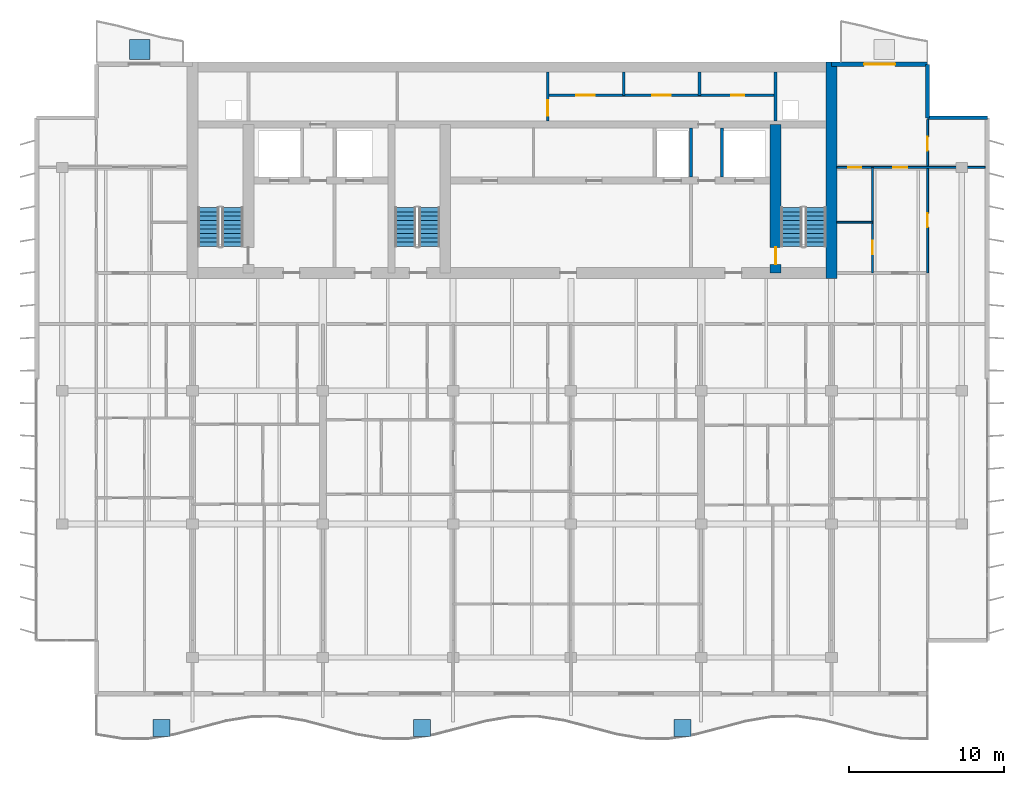
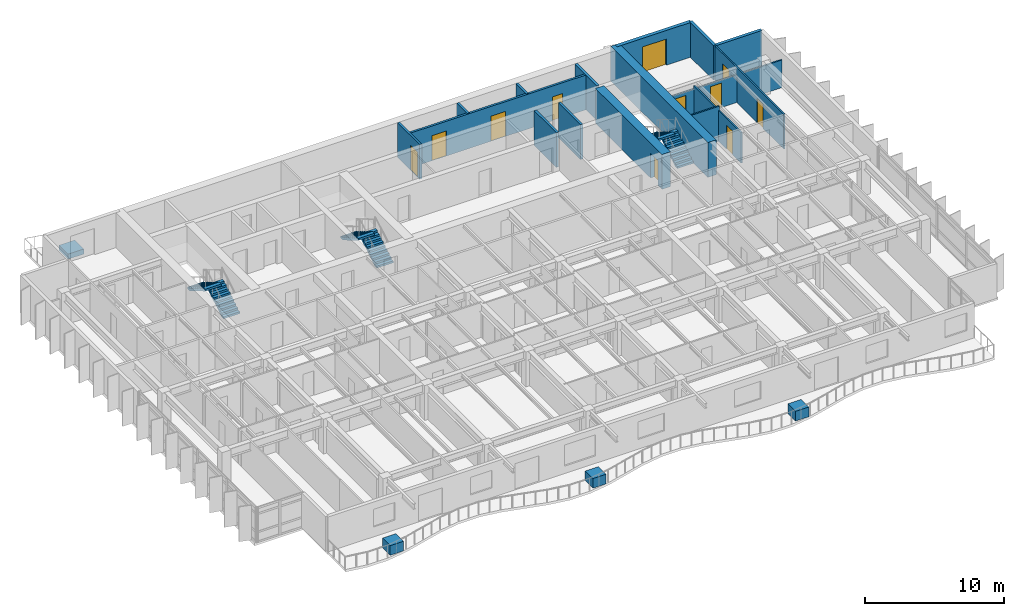
# One storey, part 11 of 17: 16 walls, 11 doors, 6 stair flights, 4 discrete accessories, 11 openings, 3 elements without a shape of their own.
"""IFC4 building model written with IfcOpenShell, lengths in metres."""

from ifc_helpers import new_model, si_unit, direction, frame, frame_2d, origin, origin_2d, place, context, subcontext, project, spatial, polyline, rectangle, outline, extrude, material, layer, layer_set, type_object, element, fill, aggregate, save


model = new_model("IFC4")

# Units and contexts
model_context = context("Model", 3, precision=1e-05, world=origin(), true_north=direction((0.0, 1.0)))
body_context = subcontext(model_context, "Body", "Model", "MODEL_VIEW")
ifc_project = project(units=[si_unit("LENGTHUNIT", "METRE"), si_unit("AREAUNIT", "SQUARE_METRE"), si_unit("VOLUMEUNIT", "CUBIC_METRE"), si_unit("PLANEANGLEUNIT", "RADIAN"), si_unit("MASSUNIT", "GRAM", prefix="KILO")], contexts=[model_context])

# Site, building, storey
site_placement = place(None, origin())
site = spatial("IfcSite", under=ifc_project, at=site_placement, CompositionType="ELEMENT")
building_placement = place(site_placement, origin())
building = spatial("IfcBuilding", under=site, at=building_placement, Name="Caelmar Bay Residences", CompositionType="ELEMENT")
storey_placement = place(building_placement, frame((0.0, 0.0, 243.0)))
storey = spatial("IfcBuildingStorey", under=building, at=storey_placement, Name="L68", CompositionType="ELEMENT", Elevation=243.0)

# Wall
ifc_material_1 = material(Name="Concrete f'c 55 MPa (8,000 psi)", Category="concrete")
ifc_layer_1 = layer(ifc_material_1, 0.699951171875)
ifc_layer_set_1 = layer_set([ifc_layer_1], Name="Concrete f'c 55 MPa (8,000 psi)")
wall_type_1 = type_object("IfcWallType", Name="SW-COR-700", PredefinedType="SHEAR", material=ifc_layer_set_1)
wall_1_placement = place(storey_placement, frame((59.5, 36.64990234375, 0.0), z_axis=(0.0, 0.0, 1.0), x_axis=(0.0, 1.0, 0.0)))
element("IfcWall", 1, at=wall_1_placement, inside=storey, type_object=wall_type_1, Name="L68 Rear Core East Shear Wall", PredefinedType="SHEAR", context=body_context, shape_type="SweptSolid", body=[
    extrude(rectangle(XDim=13.9501953125, YDim=0.699951171875, at=frame_2d((6.97509765625, 0.0))), origin(), (0.0, 0.0, 1.0), 3.050048828125),
])

# Wall, opening, door
wall_2_placement = place(storey_placement, frame((55.89990234375, 37.0, 0.0), z_axis=(0.0, 0.0, 1.0), x_axis=(0.0, 1.0, 0.0)))
wall_2 = element("IfcWall", 2, at=wall_2_placement, inside=storey, type_object=wall_type_1, Name="L68 Core Structural Web Wall ST2W", PredefinedType="SHEAR", context=body_context, shape_type="SweptSolid", body=[
    extrude(rectangle(XDim=9.574951171875, YDim=0.699951171875, at=frame_2d((4.78759765625, 0.0))), origin(), (0.0, 0.0, 1.0), 3.050048828125),
])
opening_1_placement = place(wall_2_placement, frame((0.550048828125, 0.0, 0.0)))
opening_1 = element("IfcOpeningElement", 3, at=opening_1_placement, cuts=wall_2, Name="Opening D-L68-110", PredefinedType="OPENING", context=body_context, shape_type="SweptSolid", body=[
    extrude(rectangle(XDim=1.10009765625, YDim=2.14990234375, at=frame_2d((0.550048828125, 1.074951171875))), frame((0.0, 0.35986328125, 0.0), z_axis=(0.0, -1.0, 0.0), x_axis=(1.0, 0.0, 0.0)), (0.0, 0.0, 1.0), 0.719970703125),
])
ifc_material_2 = material(Name="Fire-rated steel and walnut architectural door assembly", Category="steel")
ifc_layer_2 = layer(ifc_material_2, 0.050048828125)
ifc_layer_set_2 = layer_set([ifc_layer_2], Name="Fire-rated steel and walnut architectural door assembly")
door_type_1 = type_object("IfcDoorType", Name="D-STAIR-1100", OperationType="NOTDEFINED", PredefinedType="DOOR", material=ifc_layer_set_2)
door_1_placement = place(opening_1_placement, origin())
door_1 = element("IfcDoor", 4, at=door_1_placement, inside=storey, type_object=door_type_1, Name="L68 Firefighting Lobby East Door", OperationType="SINGLE_SWING_RIGHT", OverallHeight=2.14990234375, OverallWidth=1.10009765625, PredefinedType="DOOR", context=body_context, shape_type="SweptSolid", body=[
    extrude(rectangle(XDim=1.10009765625, YDim=2.14990234375, at=frame_2d((0.550048828125, 1.074951171875))), frame((0.0, 0.02490234375, 0.0), z_axis=(0.0, -1.0, 0.0), x_axis=(1.0, 0.0, 0.0)), (0.0, 0.0, 1.0), 0.050048828125),
])
fill(opening_1, door_1)

ifc_material_3 = material(Name="Double-stud acoustic fire-rated gypsum partition 180 mm")
ifc_layer_3 = layer(ifc_material_3, 0.179931640625)
ifc_layer_set_3 = layer_set([ifc_layer_3], Name="Double-stud acoustic fire-rated gypsum partition 180 mm")
wall_type_2 = type_object("IfcWallType", Name="W-COR-200", PredefinedType="PARTITIONING", material=ifc_layer_set_3)
wall_3_placement = place(storey_placement, frame((41.199951171875, 46.794921875, 0.0), z_axis=(0.0, 0.0, 1.0), x_axis=(0.0, 1.0, 0.0)))
wall_3 = element("IfcWall", 5, at=wall_3_placement, inside=storey, type_object=wall_type_2, Name="L68 Partition Wall V047", PredefinedType="PARTITIONING", context=body_context, shape_type="SweptSolid", body=[
    extrude(rectangle(XDim=3.16015625, YDim=0.179931640625, at=frame_2d((1.580078125, 0.0))), origin(), (0.0, 0.0, 1.0), 3.050048828125),
])
opening_2_placement = place(wall_3_placement, frame((0.327392578125, 0.0, 0.0)))
opening_2 = element("IfcOpeningElement", 6, at=opening_2_placement, cuts=wall_3, Name="Opening D-L68-118", PredefinedType="OPENING", context=body_context, shape_type="SweptSolid", body=[
    extrude(rectangle(XDim=1.0, YDim=2.199951171875, at=frame_2d((0.5, 1.10009765625))), frame((0.0, 0.099853515625, 0.0), z_axis=(0.0, -1.0, 0.0), x_axis=(1.0, 0.0, 0.0)), (0.0, 0.0, 1.0), 0.199951171875),
])
ifc_layer_4 = layer(ifc_material_2, 0.050048828125)
ifc_layer_set_4 = layer_set([ifc_layer_4], Name="Fire-rated steel and walnut architectural door assembly")
door_type_2 = type_object("IfcDoorType", Name="D-UNIT-1000", OperationType="NOTDEFINED", PredefinedType="DOOR", material=ifc_layer_set_4)
door_2_placement = place(opening_2_placement, origin())
door_2 = element("IfcDoor", 7, at=door_2_placement, inside=storey, type_object=door_type_2, Name="L68 Engineering Control Office Door", OperationType="SINGLE_SWING_RIGHT", OverallHeight=2.199951171875, OverallWidth=1.0, PredefinedType="DOOR", context=body_context, shape_type="SweptSolid", body=[
    extrude(rectangle(XDim=1.0, YDim=2.199951171875, at=frame_2d((0.5, 1.10009765625))), frame((0.0, 0.02490234375, 0.0), z_axis=(0.0, -1.0, 0.0), x_axis=(1.0, 0.0, 0.0)), (0.0, 0.0, 1.0), 0.050048828125),
])
fill(opening_2, door_2)

# Walls
for number, where, z_axis, x_axis, name in (
    (8, (46.10009765625, 48.449951171875, 0.0), (0.0, 0.0, 1.0), (0.0, 1.0, 0.0), "L68 Partition Wall V054"),
    (9, (51.0, 48.449951171875, 0.0), (0.0, 0.0, 1.0), (0.0, 1.0, 0.0), "L68 Partition Wall V059"),
):
    element("IfcWall", number, at=place(storey_placement, frame(where, z_axis=z_axis, x_axis=x_axis)), inside=storey, type_object=wall_type_2, Name=name, PredefinedType="PARTITIONING", context=body_context, shape_type="SweptSolid", body=[
        extrude(rectangle(XDim=1.505126953125, YDim=0.179931640625, at=frame_2d((0.75244140625, 0.0))), origin(), (0.0, 0.0, 1.0), 3.050048828125),
    ])

# Wall, openings, doors
wall_4_placement = place(storey_placement, frame((41.199951171875, 48.449951171875, 0.0), z_axis=(0.0, 0.0, 1.0), x_axis=(1.0, 0.0, 0.0)))
wall_4 = element("IfcWall", 10, at=wall_4_placement, inside=storey, type_object=wall_type_2, Name="L68 Partition Wall H122", PredefinedType="PARTITIONING", context=body_context, shape_type="SweptSolid", body=[
    extrude(rectangle(XDim=14.699951171875, YDim=0.179931640625, at=frame_2d((7.35009765625, 0.0))), origin(), (0.0, 0.0, 1.0), 3.050048828125),
])
opening_3_placement = place(wall_4_placement, frame((1.85009765625, 0.0, 0.0)))
opening_3 = element("IfcOpeningElement", 11, at=opening_3_placement, cuts=wall_4, Name="Opening D-L68-119", PredefinedType="OPENING", context=body_context, shape_type="SweptSolid", body=[
    extrude(rectangle(XDim=1.199951171875, YDim=2.199951171875, at=frame_2d((0.60009765625, 1.10009765625))), frame((0.0, 0.099853515625, 0.0), z_axis=(0.0, -1.0, 0.0), x_axis=(1.0, 0.0, 0.0)), (0.0, 0.0, 1.0), 0.199951171875),
])
opening_4_placement = place(wall_4_placement, frame((6.75, 0.0, 0.0)))
opening_4 = element("IfcOpeningElement", 12, at=opening_4_placement, cuts=wall_4, Name="Opening D-L68-120", PredefinedType="OPENING", context=body_context, shape_type="SweptSolid", body=[
    extrude(rectangle(XDim=1.199951171875, YDim=2.199951171875, at=frame_2d((0.60009765625, 1.10009765625))), frame((0.0, 0.099853515625, 0.0), z_axis=(0.0, -1.0, 0.0), x_axis=(1.0, 0.0, 0.0)), (0.0, 0.0, 1.0), 0.199951171875),
])
opening_5_placement = place(wall_4_placement, frame((11.824951171875, 0.0, 0.0)))
opening_5 = element("IfcOpeningElement", 13, at=opening_5_placement, cuts=wall_4, Name="Opening D-L68-121", PredefinedType="OPENING", context=body_context, shape_type="SweptSolid", body=[
    extrude(rectangle(XDim=0.85009765625, YDim=2.10009765625, at=frame_2d((0.425048828125, 1.050048828125))), frame((0.0, 0.099853515625, 0.0), z_axis=(0.0, -1.0, 0.0), x_axis=(1.0, 0.0, 0.0)), (0.0, 0.0, 1.0), 0.199951171875),
])
ifc_layer_5 = layer(ifc_material_2, 0.050048828125)
ifc_layer_set_5 = layer_set([ifc_layer_5], Name="Fire-rated steel and walnut architectural door assembly")
door_type_3 = type_object("IfcDoorType", Name="D-CORE-850", OperationType="NOTDEFINED", PredefinedType="DOOR", material=ifc_layer_set_5)
door_3_placement = place(opening_5_placement, origin())
door_3 = element("IfcDoor", 14, at=door_3_placement, inside=storey, type_object=door_type_3, Name="L68 Accessible Staff WC Door", OperationType="SINGLE_SWING_LEFT", OverallHeight=2.10009765625, OverallWidth=0.85009765625, PredefinedType="DOOR", context=body_context, shape_type="SweptSolid", body=[
    extrude(rectangle(XDim=0.85009765625, YDim=2.10009765625, at=frame_2d((0.425048828125, 1.050048828125))), frame((0.0, 0.02490234375, 0.0), z_axis=(0.0, -1.0, 0.0), x_axis=(1.0, 0.0, 0.0)), (0.0, 0.0, 1.0), 0.050048828125),
])
fill(opening_5, door_3)
ifc_layer_6 = layer(ifc_material_2, 0.050048828125)
ifc_layer_set_6 = layer_set([ifc_layer_6], Name="Fire-rated steel and walnut architectural door assembly")
door_type_4 = type_object("IfcDoorType", Name="D-PLANT-1200", OperationType="NOTDEFINED", PredefinedType="DOOR", material=ifc_layer_set_6)
door_4_placement = place(opening_3_placement, origin())
door_4 = element("IfcDoor", 15, at=door_4_placement, inside=storey, type_object=door_type_4, Name="L68 Electrical Closet Door", OperationType="SINGLE_SWING_LEFT", OverallHeight=2.199951171875, OverallWidth=1.199951171875, PredefinedType="DOOR", context=body_context, shape_type="SweptSolid", body=[
    extrude(rectangle(XDim=1.199951171875, YDim=2.199951171875, at=frame_2d((0.60009765625, 1.10009765625))), frame((0.0, 0.02490234375, 0.0), z_axis=(0.0, -1.0, 0.0), x_axis=(1.0, 0.0, 0.0)), (0.0, 0.0, 1.0), 0.050048828125),
])
fill(opening_3, door_4)
door_5_placement = place(opening_4_placement, origin())
door_5 = element("IfcDoor", 16, at=door_5_placement, inside=storey, type_object=door_type_4, Name="L68 Housekeeping Linen Closet Door", OperationType="SINGLE_SWING_RIGHT", OverallHeight=2.199951171875, OverallWidth=1.199951171875, PredefinedType="DOOR", context=body_context, shape_type="SweptSolid", body=[
    extrude(rectangle(XDim=1.199951171875, YDim=2.199951171875, at=frame_2d((0.60009765625, 1.10009765625))), frame((0.0, 0.02490234375, 0.0), z_axis=(0.0, -1.0, 0.0), x_axis=(1.0, 0.0, 0.0)), (0.0, 0.0, 1.0), 0.050048828125),
])
fill(opening_4, door_5)

# Walls
ifc_material_4 = material(Name="Precast concrete f'c 40 MPa (6,000 psi)", Category="concrete")
ifc_layer_7 = layer(ifc_material_4, 0.25)
ifc_layer_set_7 = layer_set([ifc_layer_7], Name="Precast concrete f'c 40 MPa (6,000 psi)")
wall_type_3 = type_object("IfcWallType", Name="W-EXT-250", PredefinedType="ELEMENTEDWALL", material=ifc_layer_set_7)
wall_5_placement = place(storey_placement, frame((65.699951171875, 50.449951171875, 0.0), z_axis=(0.0, 0.0, 1.0), x_axis=(0.0, -1.0, 0.0)))
element("IfcWall", 17, at=wall_5_placement, inside=storey, type_object=wall_type_3, Name="L68 NNE-V Notch Wall", PredefinedType="ELEMENTEDWALL", context=body_context, shape_type="SweptSolid", body=[
    extrude(rectangle(XDim=3.449951171875, YDim=0.25, at=frame_2d((1.72509765625, 0.0))), origin(), (0.0, 0.0, 1.0), 3.050048828125),
])
wall_6_placement = place(storey_placement, frame((65.699951171875, 47.0, 0.0), z_axis=(0.0, 0.0, 1.0), x_axis=(1.0, 0.0, 0.0)))
element("IfcWall", 18, at=wall_6_placement, inside=storey, type_object=wall_type_3, Name="L68 NNE-H Notch Wall", PredefinedType="ELEMENTEDWALL", context=body_context, shape_type="SweptSolid", body=[
    extrude(rectangle(XDim=3.85009765625, YDim=0.25, at=frame_2d((1.925048828125, 0.0))), origin(), (0.0, 0.0, 1.0), 3.050048828125),
])

# Wall, opening, door
ifc_layer_8 = layer(ifc_material_4, 0.300048828125)
ifc_layer_set_8 = layer_set([ifc_layer_8], Name="Precast concrete f'c 40 MPa (6,000 psi)")
wall_type_4 = type_object("IfcWallType", Name="W-EXT-300", PredefinedType="STANDARD", material=ifc_layer_set_8)
wall_7_placement = place(storey_placement, frame((59.5, 50.449951171875, 0.0), z_axis=(0.0, 0.0, 1.0), x_axis=(1.0, 0.0, 0.0)))
wall_7 = element("IfcWall", 19, at=wall_7_placement, inside=storey, type_object=wall_type_4, Name="L68 North-East Wing Exterior Wall", PredefinedType="STANDARD", context=body_context, shape_type="SweptSolid", body=[
    extrude(rectangle(XDim=6.199951171875, YDim=0.300048828125, at=frame_2d((3.10009765625, 0.0))), origin(), (0.0, 0.0, 1.0), 3.050048828125),
])
opening_6_placement = place(wall_7_placement, frame((2.10009765625, 0.0, 0.0)))
opening_6 = element("IfcOpeningElement", 20, at=opening_6_placement, cuts=wall_7, Name="Opening L68-BDNE", PredefinedType="OPENING", context=body_context, shape_type="SweptSolid", body=[
    extrude(rectangle(XDim=2.0, YDim=2.300048828125, at=frame_2d((1.0, 1.14990234375))), frame((0.0, 0.159912109375, 0.0), z_axis=(0.0, -1.0, 0.0), x_axis=(1.0, 0.0, 0.0)), (0.0, 0.0, 1.0), 0.320068359375),
])
ifc_material_5 = material(Name="Anodised bronze thermally broken sliding glass door", Category="glass")
ifc_layer_9 = layer(ifc_material_5, 0.050048828125)
ifc_layer_set_9 = layer_set([ifc_layer_9], Name="Anodised bronze thermally broken sliding glass door")
door_type_5 = type_object("IfcDoorType", Name="D-BAL-2000", OperationType="DOUBLE_DOOR_SLIDING", PredefinedType="DOOR", material=ifc_layer_set_9)
door_6_placement = place(opening_6_placement, origin())
door_6 = element("IfcDoor", 21, at=door_6_placement, inside=storey, type_object=door_type_5, Name="L68 North-East Balcony Door", OperationType="DOUBLE_DOOR_SLIDING", OverallHeight=2.300048828125, OverallWidth=2.0, PredefinedType="DOOR", context=body_context, shape_type="SweptSolid", body=[
    extrude(rectangle(XDim=2.0, YDim=2.300048828125, at=frame_2d((1.0, 1.14990234375))), frame((0.0, 0.02490234375, 0.0), z_axis=(0.0, -1.0, 0.0), x_axis=(1.0, 0.0, 0.0)), (0.0, 0.0, 1.0), 0.050048828125),
])
fill(opening_6, door_6)

# Walls
ifc_material_6 = material(Name="Fire-rated masonry and gypsum shaftliner assembly 200 mm", Category="masonry")
ifc_layer_10 = layer(ifc_material_6, 0.199951171875)
ifc_layer_set_10 = layer_set([ifc_layer_10], Name="Fire-rated masonry and gypsum shaftliner assembly 200 mm")
wall_type_5 = type_object("IfcWallType", Name="W-FSAE-200", PredefinedType="PARTITIONING", material=ifc_layer_set_10)
for number, where, z_axis, x_axis, name in (
    (22, (50.449951171875, 43.169921875, 0.0), (0.0, 0.0, 1.0), (0.0, 1.0, 0.0), "L68 Partition Wall V058"),
    (23, (52.449951171875, 43.169921875, 0.0), (0.0, 0.0, 1.0), (0.0, 1.0, 0.0), "L68 Partition Wall V063"),
):
    element("IfcWall", number, at=place(storey_placement, frame(where, z_axis=z_axis, x_axis=x_axis)), inside=storey, type_object=wall_type_5, Name=name, PredefinedType="PARTITIONING", context=body_context, shape_type="SweptSolid", body=[
        extrude(rectangle(XDim=3.18505859375, YDim=0.199951171875, at=frame_2d((1.592529296875, 0.0))), origin(), (0.0, 0.0, 1.0), 3.050048828125),
    ])
wall_8_placement = place(storey_placement, frame((55.89990234375, 46.794921875, 0.0), z_axis=(0.0, 0.0, 1.0), x_axis=(0.0, 1.0, 0.0)))
element("IfcWall", 24, at=wall_8_placement, inside=storey, type_object=wall_type_5, Name="L68 Partition Wall V068", PredefinedType="PARTITIONING", context=body_context, shape_type="SweptSolid", body=[
    extrude(rectangle(XDim=3.16015625, YDim=0.199951171875, at=frame_2d((1.580078125, 0.0))), origin(), (0.0, 0.0, 1.0), 3.050048828125),
])

# Wall, opening, door
ifc_material_7 = material(Name="Acoustic metal-stud gypsum partition 120 mm")
ifc_layer_11 = layer(ifc_material_7, 0.1201171875)
ifc_layer_set_11 = layer_set([ifc_layer_11], Name="Acoustic metal-stud gypsum partition 120 mm")
wall_type_6 = type_object("IfcWallType", Name="W-PRT-120", PredefinedType="PARTITIONING", material=ifc_layer_set_11)
wall_9_placement = place(storey_placement, frame((62.14990234375, 37.0, 0.0), z_axis=(0.0, 0.0, 1.0), x_axis=(0.0, 1.0, 0.0)))
wall_9 = element("IfcWall", 25, at=wall_9_placement, inside=storey, type_object=wall_type_6, Name="L68 Partition Wall V077", PredefinedType="PARTITIONING", context=body_context, shape_type="SweptSolid", body=[
    extrude(rectangle(XDim=6.800048828125, YDim=0.1201171875, at=frame_2d((3.39990234375, 0.0))), origin(), (0.0, 0.0, 1.0), 2.678955078125),
])
opening_7_placement = place(wall_9_placement, frame((1.20703125, 0.0, 0.0)))
opening_7 = element("IfcOpeningElement", 26, at=opening_7_placement, cuts=wall_9, Name="Opening D-L68-170", PredefinedType="OPENING", context=body_context, shape_type="SweptSolid", body=[
    extrude(rectangle(XDim=0.85009765625, YDim=2.10009765625, at=frame_2d((0.425048828125, 1.050048828125))), frame((0.0, 0.070068359375, 0.0), z_axis=(0.0, -1.0, 0.0), x_axis=(1.0, 0.0, 0.0)), (0.0, 0.0, 1.0), 0.14013671875),
])
ifc_material_8 = material(Name="Solid walnut timber interior door leaf and frame", Category="wood")
ifc_layer_12 = layer(ifc_material_8, 0.050048828125)
ifc_layer_set_12 = layer_set([ifc_layer_12], Name="Solid walnut timber interior door leaf and frame")
door_type_6 = type_object("IfcDoorType", Name="D-BATH-850", OperationType="NOTDEFINED", PredefinedType="DOOR", material=ifc_layer_set_12)
door_7_placement = place(opening_7_placement, origin())
door_7 = element("IfcDoor", 27, at=door_7_placement, inside=storey, type_object=door_type_6, Name="L68 Residence EA Walk-In Closet Door", OperationType="SINGLE_SWING_RIGHT", OverallHeight=2.10009765625, OverallWidth=0.85009765625, PredefinedType="DOOR", context=body_context, shape_type="SweptSolid", body=[
    extrude(rectangle(XDim=0.85009765625, YDim=2.10009765625, at=frame_2d((0.425048828125, 1.050048828125))), frame((0.0, 0.02490234375, 0.0), z_axis=(0.0, -1.0, 0.0), x_axis=(1.0, 0.0, 0.0)), (0.0, 0.0, 1.0), 0.050048828125),
])
fill(opening_7, door_7)

# Wall, openings, doors
wall_10_placement = place(storey_placement, frame((65.699951171875, 37.0048828125, 0.0), z_axis=(0.0, 0.0, 1.0), x_axis=(0.0, 1.0, 0.0)))
wall_10 = element("IfcWall", 28, at=wall_10_placement, inside=storey, type_object=wall_type_6, Name="L68 Partition Wall V088", PredefinedType="PARTITIONING", context=body_context, shape_type="SweptSolid", body=[
    extrude(rectangle(XDim=9.875, YDim=0.1201171875, at=frame_2d((4.9375, 0.0))), origin(), (0.0, 0.0, 1.0), 3.050048828125),
])
opening_8_placement = place(wall_10_placement, frame((2.947509765625, 0.0, 0.0)))
opening_8 = element("IfcOpeningElement", 29, at=opening_8_placement, cuts=wall_10, Name="Opening D-L68-172", PredefinedType="OPENING", context=body_context, shape_type="SweptSolid", body=[
    extrude(rectangle(XDim=0.89990234375, YDim=2.14990234375, at=frame_2d((0.449951171875, 1.074951171875))), frame((0.0, 0.070068359375, 0.0), z_axis=(0.0, -1.0, 0.0), x_axis=(1.0, 0.0, 0.0)), (0.0, 0.0, 1.0), 0.14013671875),
])
opening_9_placement = place(wall_10_placement, frame((7.885009765625, 0.0, 0.0)))
opening_9 = element("IfcOpeningElement", 30, at=opening_9_placement, cuts=wall_10, Name="Opening D-L68-173", PredefinedType="OPENING", context=body_context, shape_type="SweptSolid", body=[
    extrude(rectangle(XDim=0.89990234375, YDim=2.14990234375, at=frame_2d((0.449951171875, 1.074951171875))), frame((0.0, 0.070068359375, 0.0), z_axis=(0.0, -1.0, 0.0), x_axis=(1.0, 0.0, 0.0)), (0.0, 0.0, 1.0), 0.14013671875),
])
ifc_layer_13 = layer(ifc_material_8, 0.050048828125)
ifc_layer_set_13 = layer_set([ifc_layer_13], Name="Solid walnut timber interior door leaf and frame")
door_type_7 = type_object("IfcDoorType", Name="D-ROOM-900", OperationType="NOTDEFINED", PredefinedType="DOOR", material=ifc_layer_set_13)
door_8_placement = place(opening_8_placement, origin())
door_8 = element("IfcDoor", 31, at=door_8_placement, inside=storey, type_object=door_type_7, Name="L68 Residence EA Sun Study Door", OperationType="SINGLE_SWING_RIGHT", OverallHeight=2.14990234375, OverallWidth=0.89990234375, PredefinedType="DOOR", context=body_context, shape_type="SweptSolid", body=[
    extrude(rectangle(XDim=0.89990234375, YDim=2.14990234375, at=frame_2d((0.449951171875, 1.074951171875))), frame((0.0, 0.02490234375, 0.0), z_axis=(0.0, -1.0, 0.0), x_axis=(1.0, 0.0, 0.0)), (0.0, 0.0, 1.0), 0.050048828125),
])
fill(opening_8, door_8)
door_9_placement = place(opening_9_placement, origin())
door_9 = element("IfcDoor", 32, at=door_9_placement, inside=storey, type_object=door_type_7, Name="L68 Residence EA North Sitting Alcove Door", OperationType="SINGLE_SWING_LEFT", OverallHeight=2.14990234375, OverallWidth=0.89990234375, PredefinedType="DOOR", context=body_context, shape_type="SweptSolid", body=[
    extrude(rectangle(XDim=0.89990234375, YDim=2.14990234375, at=frame_2d((0.449951171875, 1.074951171875))), frame((0.0, 0.02490234375, 0.0), z_axis=(0.0, -1.0, 0.0), x_axis=(1.0, 0.0, 0.0)), (0.0, 0.0, 1.0), 0.050048828125),
])
fill(opening_9, door_9)

# Wall
wall_11_placement = place(storey_placement, frame((59.844970703125, 40.263916015625, 0.0), z_axis=(0.0, 0.0, 1.0), x_axis=(1.0, 0.0, 0.0)))
element("IfcWall", 33, at=wall_11_placement, inside=storey, type_object=wall_type_6, Name="L68 Partition Wall H118", PredefinedType="PARTITIONING", context=body_context, shape_type="SweptSolid", body=[
    extrude(rectangle(XDim=2.304931640625, YDim=0.1201171875, at=frame_2d((1.15234375, 0.0))), origin(), (0.0, 0.0, 1.0), 3.050048828125),
])

# Wall, openings, doors
wall_12_placement = place(storey_placement, frame((59.844970703125, 43.800048828125, 0.0), z_axis=(0.0, 0.0, 1.0), x_axis=(1.0, 0.0, 0.0)))
wall_12 = element("IfcWall", 34, at=wall_12_placement, inside=storey, type_object=wall_type_6, Name="L68 Partition Wall H121", PredefinedType="PARTITIONING", context=body_context, shape_type="SweptSolid", body=[
    extrude(rectangle(XDim=9.56005859375, YDim=0.1201171875, at=frame_2d((4.780029296875, 0.0))), origin(), (0.0, 0.0, 1.0), 2.41796875),
])
opening_10_placement = place(wall_12_placement, frame((3.6298828125, 0.0, 0.0)))
opening_10 = element("IfcOpeningElement", 35, at=opening_10_placement, cuts=wall_12, Name="Opening D-L68-169", PredefinedType="OPENING", context=body_context, shape_type="SweptSolid", body=[
    extrude(rectangle(XDim=0.89990234375, YDim=2.14990234375, at=frame_2d((0.449951171875, 1.074951171875))), frame((0.0, 0.070068359375, 0.0), z_axis=(0.0, -1.0, 0.0), x_axis=(1.0, 0.0, 0.0)), (0.0, 0.0, 1.0), 0.14013671875),
])
opening_11_placement = place(wall_12_placement, frame((0.7275390625, 0.0, 0.0)))
opening_11 = element("IfcOpeningElement", 36, at=opening_11_placement, cuts=wall_12, Name="Opening D-L68-171", PredefinedType="OPENING", context=body_context, shape_type="SweptSolid", body=[
    extrude(rectangle(XDim=0.85009765625, YDim=2.10009765625, at=frame_2d((0.425048828125, 1.050048828125))), frame((0.0, 0.070068359375, 0.0), z_axis=(0.0, -1.0, 0.0), x_axis=(1.0, 0.0, 0.0)), (0.0, 0.0, 1.0), 0.14013671875),
])
door_10_placement = place(opening_11_placement, origin())
door_10 = element("IfcDoor", 37, at=door_10_placement, inside=storey, type_object=door_type_6, Name="L68 Residence EA Bathroom Door", OperationType="SINGLE_SWING_LEFT", OverallHeight=2.10009765625, OverallWidth=0.85009765625, PredefinedType="DOOR", context=body_context, shape_type="SweptSolid", body=[
    extrude(rectangle(XDim=0.85009765625, YDim=2.10009765625, at=frame_2d((0.425048828125, 1.050048828125))), frame((0.0, 0.02490234375, 0.0), z_axis=(0.0, -1.0, 0.0), x_axis=(1.0, 0.0, 0.0)), (0.0, 0.0, 1.0), 0.050048828125),
])
fill(opening_11, door_10)
door_11_placement = place(opening_10_placement, origin())
door_11 = element("IfcDoor", 38, at=door_11_placement, inside=storey, type_object=door_type_7, Name="L68 Residence EA Studio Living and Sleeping Room Door", OperationType="SINGLE_SWING_LEFT", OverallHeight=2.14990234375, OverallWidth=0.89990234375, PredefinedType="DOOR", context=body_context, shape_type="SweptSolid", body=[
    extrude(rectangle(XDim=0.89990234375, YDim=2.14990234375, at=frame_2d((0.449951171875, 1.074951171875))), frame((0.0, 0.02490234375, 0.0), z_axis=(0.0, -1.0, 0.0), x_axis=(1.0, 0.0, 0.0)), (0.0, 0.0, 1.0), 0.050048828125),
])
fill(opening_10, door_11)

# Stair, stair flights
ifc_material_9 = material(Name="Concrete f'c 40 MPa (6,000 psi)", Category="concrete")
stair_type = type_object("IfcStairType", Name="ST-TYP-165", PredefinedType="HALF_TURN_STAIR", material=ifc_material_9)
stair_1_placement = place(storey_placement, origin())
stair_1 = element("IfcStair", 39, at=stair_1_placement, inside=storey, type_object=stair_type, Name="L68 West Smokeproof Exit Stair ST1", PredefinedType="HALF_TURN_STAIR")
stair_flight_type = type_object("IfcStairFlightType", Name="STF-1350", PredefinedType="STRAIGHT", material=ifc_material_9)
stair_flight_1_placement = place(storey_placement, frame((20.875, 38.699951171875, 0.0), z_axis=(0.0, 0.0, 1.0), x_axis=(0.0, 1.0, 0.0)))
stair_flight_1 = element("IfcStairFlight", 40, at=stair_flight_1_placement, type_object=stair_flight_type, Name="ST1 flight 1", NumberOfRisers=10, NumberOfTreads=9, PredefinedType="STRAIGHT", RiserHeight=0.165, TreadLength=0.28, context=body_context, shape_type="SweptSolid", body=[
    extrude(outline(polyline([(0.0, 0.0), (0.0, 0.1650390625), (0.280029296875, 0.1650390625), (0.280029296875, 0.330078125), (0.56005859375, 0.330078125), (0.56005859375, 0.4951171875), (0.840087890625, 0.4951171875), (0.840087890625, 0.659912109375), (1.1201171875, 0.659912109375), (1.1201171875, 0.824951171875), (1.39990234375, 0.824951171875), (1.39990234375, 0.989990234375), (1.679931640625, 0.989990234375), (1.679931640625, 1.155029296875), (1.9599609375, 1.155029296875), (1.9599609375, 1.320068359375), (2.239990234375, 1.320068359375), (2.239990234375, 1.485107421875), (2.52001953125, 1.485107421875), (2.52001953125, 1.64990234375), (2.52001953125, 1.31103515625), (0.295166015625, 0.0), (0.0, 0.0)])), frame((0.0, 0.675048828125, 0.0), z_axis=(0.0, -1.0, 0.0), x_axis=(1.0, 0.0, 0.0)), (0.0, 0.0, 1.0), 1.35009765625),
])
stair_flight_2_placement = place(storey_placement, frame((19.324951171875, 41.219970703125, 1.64990234375), z_axis=(0.0, 0.0, 1.0), x_axis=(0.0, -1.0, 0.0)))
stair_flight_2 = element("IfcStairFlight", 41, at=stair_flight_2_placement, type_object=stair_flight_type, Name="ST1 flight 2", NumberOfRisers=10, NumberOfTreads=9, PredefinedType="STRAIGHT", RiserHeight=0.165, TreadLength=0.28, context=body_context, shape_type="SweptSolid", body=[
    extrude(outline(polyline([(0.0, 0.0), (0.0, 0.1650390625), (0.280029296875, 0.1650390625), (0.280029296875, 0.330078125), (0.56005859375, 0.330078125), (0.56005859375, 0.4951171875), (0.840087890625, 0.4951171875), (0.840087890625, 0.659912109375), (1.1201171875, 0.659912109375), (1.1201171875, 0.824951171875), (1.39990234375, 0.824951171875), (1.39990234375, 0.989990234375), (1.679931640625, 0.989990234375), (1.679931640625, 1.155029296875), (1.9599609375, 1.155029296875), (1.9599609375, 1.320068359375), (2.239990234375, 1.320068359375), (2.239990234375, 1.485107421875), (2.52001953125, 1.485107421875), (2.52001953125, 1.64990234375), (2.52001953125, 1.31103515625), (0.295166015625, 0.0), (0.0, 0.0)])), frame((0.0, 0.675048828125, 0.0), z_axis=(0.0, -1.0, 0.0), x_axis=(1.0, 0.0, 0.0)), (0.0, 0.0, 1.0), 1.35009765625),
])
aggregate(stair_1, [stair_flight_1, stair_flight_2])

stair_2_placement = place(storey_placement, origin())
stair_2 = element("IfcStair", 42, at=stair_2_placement, inside=storey, type_object=stair_type, Name="L68 East Smokeproof Exit Stair ST2", PredefinedType="HALF_TURN_STAIR")
stair_flight_3_placement = place(storey_placement, frame((58.47509765625, 38.699951171875, 0.0), z_axis=(0.0, 0.0, 1.0), x_axis=(0.0, 1.0, 0.0)))
stair_flight_3 = element("IfcStairFlight", 43, at=stair_flight_3_placement, type_object=stair_flight_type, Name="ST2 flight 1", NumberOfRisers=10, NumberOfTreads=9, PredefinedType="STRAIGHT", RiserHeight=0.165, TreadLength=0.28, context=body_context, shape_type="SweptSolid", body=[
    extrude(outline(polyline([(0.0, 0.0), (0.0, 0.1650390625), (0.280029296875, 0.1650390625), (0.280029296875, 0.330078125), (0.56005859375, 0.330078125), (0.56005859375, 0.4951171875), (0.840087890625, 0.4951171875), (0.840087890625, 0.659912109375), (1.1201171875, 0.659912109375), (1.1201171875, 0.824951171875), (1.39990234375, 0.824951171875), (1.39990234375, 0.989990234375), (1.679931640625, 0.989990234375), (1.679931640625, 1.155029296875), (1.9599609375, 1.155029296875), (1.9599609375, 1.320068359375), (2.239990234375, 1.320068359375), (2.239990234375, 1.485107421875), (2.52001953125, 1.485107421875), (2.52001953125, 1.64990234375), (2.52001953125, 1.31103515625), (0.295166015625, 0.0), (0.0, 0.0)])), frame((0.0, 0.675048828125, 0.0), z_axis=(0.0, -1.0, 0.0), x_axis=(1.0, 0.0, 0.0)), (0.0, 0.0, 1.0), 1.35009765625),
])
stair_flight_4_placement = place(storey_placement, frame((56.925048828125, 41.219970703125, 1.64990234375), z_axis=(0.0, 0.0, 1.0), x_axis=(0.0, -1.0, 0.0)))
stair_flight_4 = element("IfcStairFlight", 44, at=stair_flight_4_placement, type_object=stair_flight_type, Name="ST2 flight 2", NumberOfRisers=10, NumberOfTreads=9, PredefinedType="STRAIGHT", RiserHeight=0.165, TreadLength=0.28, context=body_context, shape_type="SweptSolid", body=[
    extrude(outline(polyline([(0.0, 0.0), (0.0, 0.1650390625), (0.280029296875, 0.1650390625), (0.280029296875, 0.330078125), (0.56005859375, 0.330078125), (0.56005859375, 0.4951171875), (0.840087890625, 0.4951171875), (0.840087890625, 0.659912109375), (1.1201171875, 0.659912109375), (1.1201171875, 0.824951171875), (1.39990234375, 0.824951171875), (1.39990234375, 0.989990234375), (1.679931640625, 0.989990234375), (1.679931640625, 1.155029296875), (1.9599609375, 1.155029296875), (1.9599609375, 1.320068359375), (2.239990234375, 1.320068359375), (2.239990234375, 1.485107421875), (2.52001953125, 1.485107421875), (2.52001953125, 1.64990234375), (2.52001953125, 1.31103515625), (0.295166015625, 0.0), (0.0, 0.0)])), frame((0.0, 0.675048828125, 0.0), z_axis=(0.0, -1.0, 0.0), x_axis=(1.0, 0.0, 0.0)), (0.0, 0.0, 1.0), 1.35009765625),
])
aggregate(stair_2, [stair_flight_3, stair_flight_4])

stair_3_placement = place(storey_placement, origin())
stair_3 = element("IfcStair", 45, at=stair_3_placement, inside=storey, type_object=stair_type, Name="L68 Central Smokeproof Exit Stair ST3", PredefinedType="HALF_TURN_STAIR")
stair_flight_5_placement = place(storey_placement, frame((33.574951171875, 38.699951171875, 0.0), z_axis=(0.0, 0.0, 1.0), x_axis=(0.0, 1.0, 0.0)))
stair_flight_5 = element("IfcStairFlight", 46, at=stair_flight_5_placement, type_object=stair_flight_type, Name="ST3 flight 1", NumberOfRisers=10, NumberOfTreads=9, PredefinedType="STRAIGHT", RiserHeight=0.165, TreadLength=0.28, context=body_context, shape_type="SweptSolid", body=[
    extrude(outline(polyline([(0.0, 0.0), (0.0, 0.1650390625), (0.280029296875, 0.1650390625), (0.280029296875, 0.330078125), (0.56005859375, 0.330078125), (0.56005859375, 0.4951171875), (0.840087890625, 0.4951171875), (0.840087890625, 0.659912109375), (1.1201171875, 0.659912109375), (1.1201171875, 0.824951171875), (1.39990234375, 0.824951171875), (1.39990234375, 0.989990234375), (1.679931640625, 0.989990234375), (1.679931640625, 1.155029296875), (1.9599609375, 1.155029296875), (1.9599609375, 1.320068359375), (2.239990234375, 1.320068359375), (2.239990234375, 1.485107421875), (2.52001953125, 1.485107421875), (2.52001953125, 1.64990234375), (2.52001953125, 1.31103515625), (0.295166015625, 0.0), (0.0, 0.0)])), frame((0.0, 0.675048828125, 0.0), z_axis=(0.0, -1.0, 0.0), x_axis=(1.0, 0.0, 0.0)), (0.0, 0.0, 1.0), 1.35009765625),
])
stair_flight_6_placement = place(storey_placement, frame((32.02490234375, 41.219970703125, 1.64990234375), z_axis=(0.0, 0.0, 1.0), x_axis=(0.0, -1.0, 0.0)))
stair_flight_6 = element("IfcStairFlight", 47, at=stair_flight_6_placement, type_object=stair_flight_type, Name="ST3 flight 2", NumberOfRisers=10, NumberOfTreads=9, PredefinedType="STRAIGHT", RiserHeight=0.165, TreadLength=0.28, context=body_context, shape_type="SweptSolid", body=[
    extrude(outline(polyline([(0.0, 0.0), (0.0, 0.1650390625), (0.280029296875, 0.1650390625), (0.280029296875, 0.330078125), (0.56005859375, 0.330078125), (0.56005859375, 0.4951171875), (0.840087890625, 0.4951171875), (0.840087890625, 0.659912109375), (1.1201171875, 0.659912109375), (1.1201171875, 0.824951171875), (1.39990234375, 0.824951171875), (1.39990234375, 0.989990234375), (1.679931640625, 0.989990234375), (1.679931640625, 1.155029296875), (1.9599609375, 1.155029296875), (1.9599609375, 1.320068359375), (2.239990234375, 1.320068359375), (2.239990234375, 1.485107421875), (2.52001953125, 1.485107421875), (2.52001953125, 1.64990234375), (2.52001953125, 1.31103515625), (0.295166015625, 0.0), (0.0, 0.0)])), frame((0.0, 0.675048828125, 0.0), z_axis=(0.0, -1.0, 0.0), x_axis=(1.0, 0.0, 0.0)), (0.0, 0.0, 1.0), 1.35009765625),
])
aggregate(stair_3, [stair_flight_5, stair_flight_6])

# Discrete accessories
ifc_material_10 = material(Name="Architectural bronze GRC planter trough with volcanic-lapilli substrate")
discrete_accessory_type_1 = type_object("IfcDiscreteAccessoryType", Name="ACC-PLANTER-1100", PredefinedType="USERDEFINED", material=ifc_material_10)
for number, where, z_axis, x_axis, name in (
    (48, (16.300048828125, 7.643310546875, 0.0), (0.0, 0.0, 1.0), (1.0, 0.0, 0.0), "L68 Balcony Structural Tree Planter 1"),
    (49, (33.10009765625, 7.643310546875, 0.0), (0.0, 0.0, 1.0), (1.0, 0.0, 0.0), "L68 Balcony Structural Tree Planter 2"),
    (50, (49.89990234375, 7.643310546875, 0.0), (0.0, 0.0, 1.0), (1.0, 0.0, 0.0), "L68 Balcony Structural Tree Planter 3"),
):
    element("IfcDiscreteAccessory", number, at=place(storey_placement, frame(where, z_axis=z_axis, x_axis=x_axis)), inside=storey, type_object=discrete_accessory_type_1, Name=name, ObjectType="PLANTER", PredefinedType="USERDEFINED", context=body_context, shape_type="SweptSolid", body=[
        extrude(rectangle(XDim=1.10009765625, YDim=1.10009765625, at=origin_2d()), origin(), (0.0, 0.0, 1.0), 0.85009765625),
    ])
discrete_accessory_type_2 = type_object("IfcDiscreteAccessoryType", Name="STR-PLANTER-KERB-450", PredefinedType="USERDEFINED", material=ifc_material_4)
discrete_accessory_placement = place(storey_placement, frame((14.89990234375, 51.39990234375, 0.0), z_axis=(0.0, 0.0, 1.0), x_axis=(1.0, 0.0, 0.0)))
element("IfcDiscreteAccessory", 51, at=discrete_accessory_placement, inside=storey, type_object=discrete_accessory_type_2, Name="L68 north_west Structural Tree Planter Kerb", ObjectType="PLANTER", PredefinedType="USERDEFINED", context=body_context, shape_type="SweptSolid", body=[
    extrude(rectangle(XDim=1.300048828125, YDim=1.300048828125, at=origin_2d()), origin(), (0.0, 0.0, 1.0), 0.449951171875),
])

save(model, "model.ifc")
